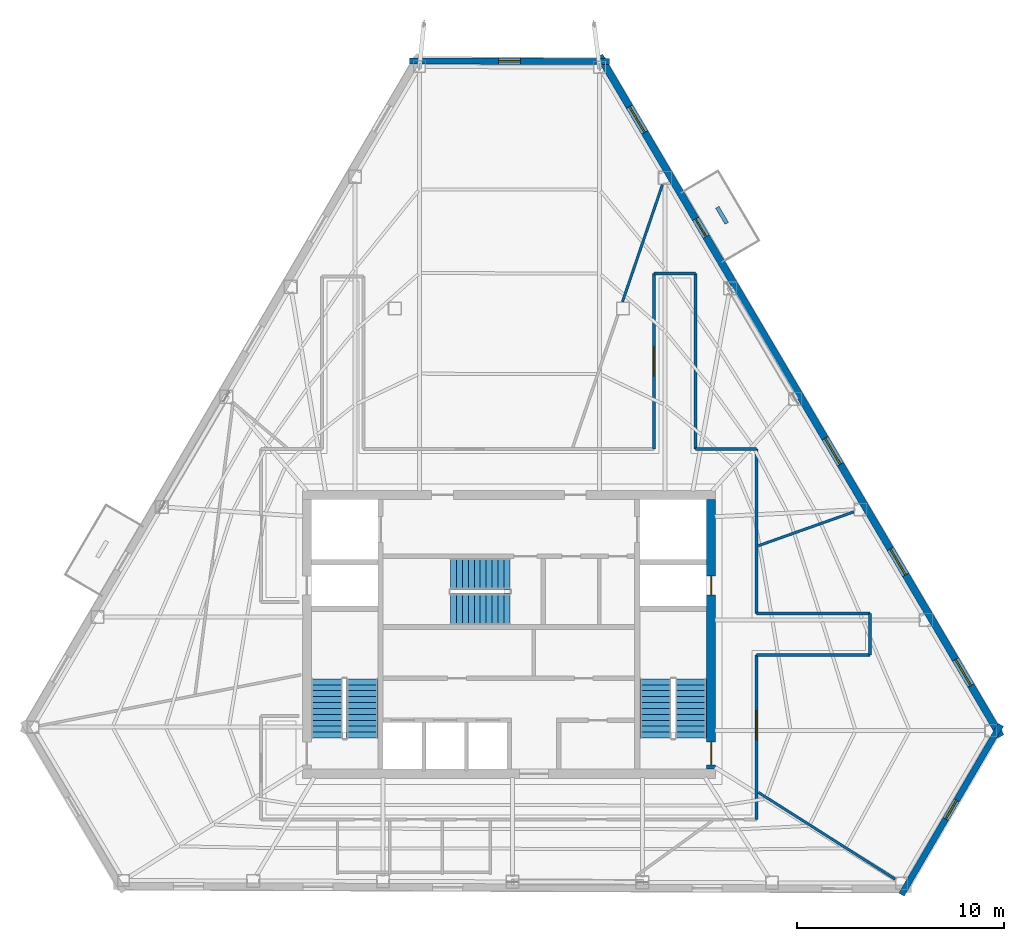
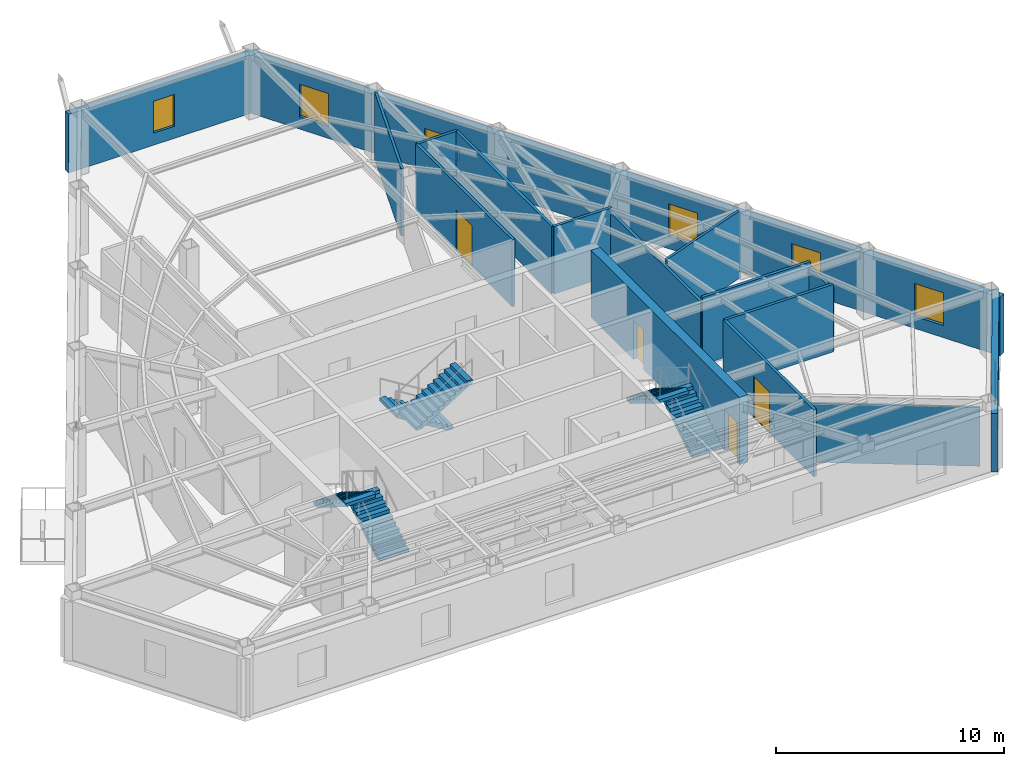
# One storey, part 8 of 10: 17 walls, 6 stair flights, 6 windows, 5 doors, 11 openings, 3 elements without a shape of their own.
"""IFC4 building model written with IfcOpenShell, lengths in metres."""

from ifc_helpers import new_model, si_unit, direction, frame, frame_2d, origin, place, context, subcontext, project, spatial, polyline, rectangle, outline, extrude, material, layer, layer_set, type_object, element, fill, aggregate, save


model = new_model("IFC4")

# Units and contexts
model_context = context("Model", 3, precision=1e-05, world=origin(), true_north=direction((0.0, 1.0)))
body_context = subcontext(model_context, "Body", "Model", "MODEL_VIEW")
ifc_project = project(units=[si_unit("LENGTHUNIT", "METRE"), si_unit("AREAUNIT", "SQUARE_METRE"), si_unit("VOLUMEUNIT", "CUBIC_METRE"), si_unit("PLANEANGLEUNIT", "RADIAN"), si_unit("MASSUNIT", "GRAM", prefix="KILO")], contexts=[model_context])

# Site, building, storey
site_placement = place(None, origin())
site = spatial("IfcSite", under=ifc_project, at=site_placement, CompositionType="ELEMENT")
building_placement = place(site_placement, origin())
building = spatial("IfcBuilding", under=site, at=building_placement, Name="Kavelnor Concourse Tower", CompositionType="ELEMENT")
storey_placement = place(building_placement, frame((0.0, 0.0, 199.64990234375)))
storey = spatial("IfcBuildingStorey", under=building, at=storey_placement, Name="L50", CompositionType="ELEMENT", Elevation=199.64990234375)

# Wall, openings, doors
ifc_material_1 = material(Name="Concrete C50/60", Category="concrete")
ifc_layer_1 = layer(ifc_material_1, 0.43994140625, Name="Concrete C50/60")
ifc_layer_set_1 = layer_set([ifc_layer_1], Name="Concrete C50/60")
wall_type_1 = type_object("IfcWallType", Name="WL-CORE-Z3-440", PredefinedType="SOLIDWALL", material=ifc_layer_set_1)
wall_1_placement = place(storey_placement, frame((47.739990234375, 9.60009765625, 0.0), z_axis=(0.0, 0.0, 1.0), x_axis=(0.0, 1.0, 0.0)))
wall_1 = element("IfcWall", 1, at=wall_1_placement, inside=storey, type_object=wall_type_1, Name="L50 Central Core East Shear Wall", PredefinedType="SOLIDWALL", context=body_context, shape_type="SweptSolid", body=[
    extrude(rectangle(XDim=13.0, YDim=0.43994140625, at=frame_2d((6.5, 0.0))), origin(), (0.0, 0.0, 1.0), 3.60009765625),
])
opening_1_placement = place(wall_1_placement, frame((0.199951171875, 0.0, 0.0)))
opening_1 = element("IfcOpeningElement", 2, at=opening_1_placement, cuts=wall_1, Name="Opening FD-110", PredefinedType="OPENING", context=body_context, shape_type="SweptSolid", body=[
    extrude(rectangle(XDim=1.10009765625, YDim=2.14990234375, at=frame_2d((0.550048828125, 1.074951171875))), frame((0.0, 0.22998046875, 0.0), z_axis=(0.0, -1.0, 0.0), x_axis=(1.0, 0.0, 0.0)), (0.0, 0.0, 1.0), 0.4599609375),
])
opening_2_placement = place(wall_1_placement, frame((8.39990234375, 0.0, 0.0)))
opening_2 = element("IfcOpeningElement", 3, at=opening_2_placement, cuts=wall_1, Name="Opening FD-090", PredefinedType="OPENING", context=body_context, shape_type="SweptSolid", body=[
    extrude(rectangle(XDim=0.89990234375, YDim=2.10009765625, at=frame_2d((0.449951171875, 1.050048828125))), frame((0.0, 0.22998046875, 0.0), z_axis=(0.0, -1.0, 0.0), x_axis=(1.0, 0.0, 0.0)), (0.0, 0.0, 1.0), 0.4599609375),
])
ifc_material_2 = material(Name="Steel Grade 350", Category="steel")
door_type_1 = type_object("IfcDoorType", Name="DR-RISER-FIRE-900", OperationType="NOTDEFINED", PredefinedType="DOOR", material=ifc_material_2)
door_1_placement = place(opening_2_placement, origin())
door_1 = element("IfcDoor", 4, at=door_1_placement, inside=storey, type_object=door_type_1, Name="L50 East Riser Access Door", OperationType="SINGLE_SWING_LEFT", OverallHeight=2.10009765625, OverallWidth=0.89990234375, PredefinedType="DOOR", context=body_context, shape_type="SweptSolid", body=[
    extrude(rectangle(XDim=0.89990234375, YDim=2.10009765625, at=frame_2d((0.449951171875, 1.050048828125))), frame((0.0, 0.02490234375, 0.0), z_axis=(0.0, -1.0, 0.0), x_axis=(1.0, 0.0, 0.0)), (0.0, 0.0, 1.0), 0.050048828125),
])
fill(opening_2, door_1)
door_type_2 = type_object("IfcDoorType", Name="DR-STAIR-FIRE-1100", OperationType="NOTDEFINED", PredefinedType="DOOR", material=ifc_material_2)
door_2_placement = place(opening_1_placement, origin())
door_2 = element("IfcDoor", 5, at=door_2_placement, inside=storey, type_object=door_type_2, Name="L50 Stair ST2 Fire Door", OperationType="SINGLE_SWING_RIGHT", OverallHeight=2.14990234375, OverallWidth=1.10009765625, PredefinedType="DOOR", context=body_context, shape_type="SweptSolid", body=[
    extrude(rectangle(XDim=1.10009765625, YDim=2.14990234375, at=frame_2d((0.550048828125, 1.074951171875))), frame((0.0, 0.02490234375, 0.0), z_axis=(0.0, -1.0, 0.0), x_axis=(1.0, 0.0, 0.0)), (0.0, 0.0, 1.0), 0.050048828125),
])
fill(opening_1, door_2)

# Wall, opening, window
ifc_material_3 = material(Name="Buff ironspot clay face brick masonry", Category="masonry")
ifc_layer_2 = layer(ifc_material_3, 0.300048828125, Name="Buff ironspot clay face brick masonry")
ifc_layer_set_2 = layer_set([ifc_layer_2], Name="Buff ironspot clay face brick masonry")
wall_type_2 = type_object("IfcWallType", Name="WL-EXT-BUFF-BRICK-FOLD-300", PredefinedType="STANDARD", material=ifc_layer_set_2)
wall_2_placement = place(storey_placement, frame((33.213623046875, 43.73388671875, 0.0), z_axis=(0.0, 0.0, 1.0), x_axis=(0.999993608919, -0.00357520916, 0.0)))
wall_2 = element("IfcWall", 6, at=wall_2_placement, inside=storey, type_object=wall_type_2, Name="L50 Exterior Brick Facade Wall E0", PredefinedType="STANDARD", context=body_context, shape_type="SweptSolid", body=[
    extrude(rectangle(XDim=9.62841796875, YDim=0.300048828125, at=frame_2d((4.814208984375, 0.0))), origin(), (0.0, 0.0, 1.0), 3.132080078125),
])
opening_3_placement = place(wall_2_placement, frame((4.289306640625, 0.0, 0.64990234375)))
opening_3 = element("IfcOpeningElement", 7, at=opening_3_placement, cuts=wall_2, Name="Opening W-06", PredefinedType="OPENING", context=body_context, shape_type="SweptSolid", body=[
    extrude(rectangle(XDim=1.050048828125, YDim=1.699951171875, at=frame_2d((0.52490234375, 0.85009765625))), frame((0.0, 0.16015625, 0.0), z_axis=(0.0, -1.0, 0.0), x_axis=(1.0, 0.0, 0.0)), (0.0, 0.0, 1.0), 0.320068359375),
])
ifc_material_4 = material(Name="Double low-E argon insulated glazing", Category="glass")
window_type_1 = type_object("IfcWindowType", Name="WIN-FOLD-1050", PartitioningType="SINGLE_PANEL", PredefinedType="WINDOW", material=ifc_material_4)
window_1_placement = place(opening_3_placement, origin())
window_1 = element("IfcWindow", 8, at=window_1_placement, inside=storey, type_object=window_type_1, Name="L50 Chamfer-Fold Facet Window C0", OverallHeight=1.699951171875, OverallWidth=1.050048828125, PartitioningType="SINGLE_PANEL", PredefinedType="WINDOW", context=body_context, shape_type="SweptSolid", body=[
    extrude(rectangle(XDim=1.050048828125, YDim=1.699951171875, at=frame_2d((0.52490234375, 0.85009765625))), frame((0.0, 0.030029296875, 0.0), z_axis=(0.0, -1.0, 0.0), x_axis=(1.0, 0.0, 0.0)), (0.0, 0.0, 1.0), 0.06005859375),
])
fill(opening_3, window_1)

wall_3_placement = place(storey_placement, frame((61.70654296875, 11.7353515625, 0.0), z_axis=(0.0, 0.0, 1.0), x_axis=(-0.504993005477, -0.863123435216, 0.0)))
wall_3 = element("IfcWall", 9, at=wall_3_placement, inside=storey, type_object=wall_type_2, Name="L50 Exterior Brick Facade Wall E4", PredefinedType="STANDARD", context=body_context, shape_type="SweptSolid", body=[
    extrude(rectangle(XDim=9.48046875, YDim=0.300048828125, at=frame_2d((4.740234375, 0.0))), origin(), (0.0, 0.0, 1.0), 3.132080078125),
])
opening_4_placement = place(wall_3_placement, frame((4.21533203125, 0.0, 0.64990234375)))
opening_4 = element("IfcOpeningElement", 10, at=opening_4_placement, cuts=wall_3, Name="Opening W-06", PredefinedType="OPENING", context=body_context, shape_type="SweptSolid", body=[
    extrude(rectangle(XDim=1.050048828125, YDim=1.699951171875, at=frame_2d((0.52490234375, 0.85009765625))), frame((0.0, 0.16015625, 0.0), z_axis=(0.0, -1.0, 0.0), x_axis=(1.0, 0.0, 0.0)), (0.0, 0.0, 1.0), 0.320068359375),
])
window_2_placement = place(opening_4_placement, origin())
window_2 = element("IfcWindow", 11, at=window_2_placement, inside=storey, type_object=window_type_1, Name="L50 Chamfer-Fold Facet Window C2", OverallHeight=1.699951171875, OverallWidth=1.050048828125, PartitioningType="SINGLE_PANEL", PredefinedType="WINDOW", context=body_context, shape_type="SweptSolid", body=[
    extrude(rectangle(XDim=1.050048828125, YDim=1.699951171875, at=frame_2d((0.52490234375, 0.85009765625))), frame((0.0, 0.030029296875, 0.0), z_axis=(0.0, -1.0, 0.0), x_axis=(1.0, 0.0, 0.0)), (0.0, 0.0, 1.0), 0.06005859375),
])
fill(opening_4, window_2)

# Wall, openings, door, windows
ifc_material_5 = material(Name="Red-ochre clay face brick masonry", Category="masonry")
ifc_layer_3 = layer(ifc_material_5, 0.35009765625, Name="Red-ochre clay face brick masonry")
ifc_layer_set_3 = layer_set([ifc_layer_3], Name="Red-ochre clay face brick masonry")
wall_type_3 = type_object("IfcWallType", Name="WL-EXT-RED-BRICK-PIER-350", PredefinedType="STANDARD", material=ifc_layer_set_3)
wall_4_placement = place(storey_placement, frame((42.3603515625, 43.975830078125, 0.0), z_axis=(0.0, 0.0, 1.0), x_axis=(0.508076618563, -0.861311877121, 0.0)))
wall_4 = element("IfcWall", 12, at=wall_4_placement, inside=storey, type_object=wall_type_3, Name="L50 Exterior Brick Facade Wall E5", PredefinedType="STANDARD", context=body_context, shape_type="SweptSolid", body=[
    extrude(rectangle(XDim=38.079345703125, YDim=0.35009765625, at=frame_2d((19.03955078125, 0.0))), origin(), (0.0, 0.0, 1.0), 3.132080078125),
])
opening_5_placement = place(wall_4_placement, frame((9.119873046875, 0.0, 0.0)))
opening_5 = element("IfcOpeningElement", 13, at=opening_5_placement, cuts=wall_4, Name="Opening BD-100", PredefinedType="OPENING", context=body_context, shape_type="SweptSolid", body=[
    extrude(rectangle(XDim=1.0, YDim=2.199951171875, at=frame_2d((0.5, 1.10009765625))), frame((0.0, 0.18505859375, 0.0), z_axis=(0.0, -1.0, 0.0), x_axis=(1.0, 0.0, 0.0)), (0.0, 0.0, 1.0), 0.3701171875),
])
opening_6_placement = place(wall_4_placement, frame((33.778564453125, 0.0, 0.64990234375)))
opening_6 = element("IfcOpeningElement", 14, at=opening_6_placement, cuts=wall_4, Name="Opening W-03", PredefinedType="OPENING", context=body_context, shape_type="SweptSolid", body=[
    extrude(rectangle(XDim=1.449951171875, YDim=1.75, at=frame_2d((0.72509765625, 0.875))), frame((0.0, 0.18505859375, 0.0), z_axis=(0.0, -1.0, 0.0), x_axis=(1.0, 0.0, 0.0)), (0.0, 0.0, 1.0), 0.3701171875),
])
opening_7_placement = place(wall_4_placement, frame((27.59130859375, 0.0, 0.64990234375)))
opening_7 = element("IfcOpeningElement", 15, at=opening_7_placement, cuts=wall_4, Name="Opening W-03", PredefinedType="OPENING", context=body_context, shape_type="SweptSolid", body=[
    extrude(rectangle(XDim=1.449951171875, YDim=1.75, at=frame_2d((0.72509765625, 0.875))), frame((0.0, 0.18505859375, 0.0), z_axis=(0.0, -1.0, 0.0), x_axis=(1.0, 0.0, 0.0)), (0.0, 0.0, 1.0), 0.3701171875),
])
opening_8_placement = place(wall_4_placement, frame((21.40380859375, 0.0, 0.64990234375)))
opening_8 = element("IfcOpeningElement", 16, at=opening_8_placement, cuts=wall_4, Name="Opening W-03", PredefinedType="OPENING", context=body_context, shape_type="SweptSolid", body=[
    extrude(rectangle(XDim=1.449951171875, YDim=1.75, at=frame_2d((0.72509765625, 0.875))), frame((0.0, 0.18505859375, 0.0), z_axis=(0.0, -1.0, 0.0), x_axis=(1.0, 0.0, 0.0)), (0.0, 0.0, 1.0), 0.3701171875),
])
opening_9_placement = place(wall_4_placement, frame((2.841796875, 0.0, 0.64990234375)))
opening_9 = element("IfcOpeningElement", 17, at=opening_9_placement, cuts=wall_4, Name="Opening W-03", PredefinedType="OPENING", context=body_context, shape_type="SweptSolid", body=[
    extrude(rectangle(XDim=1.449951171875, YDim=1.75, at=frame_2d((0.72509765625, 0.875))), frame((0.0, 0.18505859375, 0.0), z_axis=(0.0, -1.0, 0.0), x_axis=(1.0, 0.0, 0.0)), (0.0, 0.0, 1.0), 0.3701171875),
])
ifc_material_6 = material(Name="Anodised aluminium 6063-T6", Category="aluminium")
door_type_3 = type_object("IfcDoorType", Name="DR-BALCONY-EXT-1000", OperationType="NOTDEFINED", PredefinedType="DOOR", material=ifc_material_6)
door_3_placement = place(opening_5_placement, origin())
door_3 = element("IfcDoor", 18, at=door_3_placement, inside=storey, type_object=door_type_3, Name="L50 Tree Balcony 1 Glazed Door", OperationType="SINGLE_SWING_LEFT", OverallHeight=2.199951171875, OverallWidth=1.0, PredefinedType="DOOR", context=body_context, shape_type="SweptSolid", body=[
    extrude(rectangle(XDim=1.0, YDim=2.199951171875, at=frame_2d((0.5, 1.10009765625))), frame((0.0, 0.02490234375, 0.0), z_axis=(0.0, -1.0, 0.0), x_axis=(1.0, 0.0, 0.0)), (0.0, 0.0, 1.0), 0.050048828125),
])
fill(opening_5, door_3)
window_type_2 = type_object("IfcWindowType", Name="WIN-PIER-Z3-1500", PartitioningType="SINGLE_PANEL", PredefinedType="WINDOW", material=ifc_material_4)
window_3_placement = place(opening_6_placement, origin())
window_3 = element("IfcWindow", 19, at=window_3_placement, inside=storey, type_object=window_type_2, Name="L50 Deep-Set Brick Pier Window F2-B0", OverallHeight=1.75, OverallWidth=1.449951171875, PartitioningType="SINGLE_PANEL", PredefinedType="WINDOW", context=body_context, shape_type="SweptSolid", body=[
    extrude(rectangle(XDim=1.449951171875, YDim=1.75, at=frame_2d((0.72509765625, 0.875))), frame((0.0, 0.030029296875, 0.0), z_axis=(0.0, -1.0, 0.0), x_axis=(1.0, 0.0, 0.0)), (0.0, 0.0, 1.0), 0.06005859375),
])
fill(opening_6, window_3)
window_4_placement = place(opening_7_placement, origin())
window_4 = element("IfcWindow", 20, at=window_4_placement, inside=storey, type_object=window_type_2, Name="L50 Deep-Set Brick Pier Window F2-B1", OverallHeight=1.75, OverallWidth=1.449951171875, PartitioningType="SINGLE_PANEL", PredefinedType="WINDOW", context=body_context, shape_type="SweptSolid", body=[
    extrude(rectangle(XDim=1.449951171875, YDim=1.75, at=frame_2d((0.72509765625, 0.875))), frame((0.0, 0.030029296875, 0.0), z_axis=(0.0, -1.0, 0.0), x_axis=(1.0, 0.0, 0.0)), (0.0, 0.0, 1.0), 0.06005859375),
])
fill(opening_7, window_4)
window_5_placement = place(opening_8_placement, origin())
window_5 = element("IfcWindow", 21, at=window_5_placement, inside=storey, type_object=window_type_2, Name="L50 Deep-Set Brick Pier Window F2-B2", OverallHeight=1.75, OverallWidth=1.449951171875, PartitioningType="SINGLE_PANEL", PredefinedType="WINDOW", context=body_context, shape_type="SweptSolid", body=[
    extrude(rectangle(XDim=1.449951171875, YDim=1.75, at=frame_2d((0.72509765625, 0.875))), frame((0.0, 0.030029296875, 0.0), z_axis=(0.0, -1.0, 0.0), x_axis=(1.0, 0.0, 0.0)), (0.0, 0.0, 1.0), 0.06005859375),
])
fill(opening_8, window_5)
window_6_placement = place(opening_9_placement, origin())
window_6 = element("IfcWindow", 22, at=window_6_placement, inside=storey, type_object=window_type_2, Name="L50 Deep-Set Brick Pier Window F2-B5", OverallHeight=1.75, OverallWidth=1.449951171875, PartitioningType="SINGLE_PANEL", PredefinedType="WINDOW", context=body_context, shape_type="SweptSolid", body=[
    extrude(rectangle(XDim=1.449951171875, YDim=1.75, at=frame_2d((0.72509765625, 0.875))), frame((0.0, 0.030029296875, 0.0), z_axis=(0.0, -1.0, 0.0), x_axis=(1.0, 0.0, 0.0)), (0.0, 0.0, 1.0), 0.06005859375),
])
fill(opening_9, window_6)

# Wall, opening, door
ifc_material_7 = material(Name="Gypsum plasterboard on light-gauge steel studs", Category="steel")
ifc_layer_4 = layer(ifc_material_7, 0.14501953125, Name="Gypsum plasterboard on light-gauge steel studs")
ifc_layer_set_4 = layer_set([ifc_layer_4], Name="Gypsum plasterboard on light-gauge steel studs")
wall_type_4 = type_object("IfcWallType", Name="WL-INT-CORR-145", PredefinedType="PARTITIONING", material=ifc_layer_set_4)
wall_5_placement = place(storey_placement, frame((45.0, 25.02001953125, 0.0), z_axis=(0.0, 0.0, 1.0), x_axis=(0.0, 1.0, 0.0)))
wall_5 = element("IfcWall", 23, at=wall_5_placement, inside=storey, type_object=wall_type_4, Name="L50 Corridor Wall WL-L50-CR-08", PredefinedType="PARTITIONING", context=body_context, shape_type="SweptSolid", body=[
    extrude(rectangle(XDim=8.458251953125, YDim=0.14501953125, at=frame_2d((4.22900390625, 0.0))), origin(), (0.0, 0.0, 1.0), 3.60009765625),
])
opening_10_placement = place(wall_5_placement, frame((3.529052734375, 0.0, 0.0)))
opening_10 = element("IfcOpeningElement", 24, at=opening_10_placement, cuts=wall_5, Name="Opening SD-140", PredefinedType="OPENING", context=body_context, shape_type="SweptSolid", body=[
    extrude(rectangle(XDim=1.39990234375, YDim=2.199951171875, at=frame_2d((0.699951171875, 1.10009765625))), frame((0.0, 0.08251953125, 0.0), z_axis=(0.0, -1.0, 0.0), x_axis=(1.0, 0.0, 0.0)), (0.0, 0.0, 1.0), 0.1650390625),
])
ifc_material_8 = material(Name="Solid-core hardwood timber", Category="wood")
door_type_4 = type_object("IfcDoorType", Name="DR-SUITE-ENTRY-1400", OperationType="NOTDEFINED", PredefinedType="DOOR", material=ifc_material_8)
door_4_placement = place(opening_10_placement, origin())
door_4 = element("IfcDoor", 25, at=door_4_placement, inside=storey, type_object=door_type_4, Name="L50 Tenant Bookstore Retail Shop 01 Door", OperationType="SINGLE_SWING_RIGHT", OverallHeight=2.199951171875, OverallWidth=1.39990234375, PredefinedType="DOOR", context=body_context, shape_type="SweptSolid", body=[
    extrude(rectangle(XDim=1.39990234375, YDim=2.199951171875, at=frame_2d((0.699951171875, 1.10009765625))), frame((0.0, 0.02490234375, 0.0), z_axis=(0.0, -1.0, 0.0), x_axis=(1.0, 0.0, 0.0)), (0.0, 0.0, 1.0), 0.050048828125),
])
fill(opening_10, door_4)

# Walls
wall_6_placement = place(storey_placement, frame((45.0, 33.478271484375, 0.0), z_axis=(0.0, 0.0, 1.0), x_axis=(1.0, 0.0, 0.0)))
element("IfcWall", 26, at=wall_6_placement, inside=storey, type_object=wall_type_4, Name="L50 Corridor Wall WL-L50-CR-09", PredefinedType="PARTITIONING", context=body_context, shape_type="SweptSolid", body=[
    extrude(rectangle(XDim=2.0, YDim=0.14501953125, at=frame_2d((1.0, 0.0))), origin(), (0.0, 0.0, 1.0), 3.60009765625),
])
wall_7_placement = place(storey_placement, frame((47.0, 33.478271484375, 0.0), z_axis=(0.0, 0.0, 1.0), x_axis=(0.0, -1.0, 0.0)))
element("IfcWall", 27, at=wall_7_placement, inside=storey, type_object=wall_type_4, Name="L50 Corridor Wall WL-L50-CR-10", PredefinedType="PARTITIONING", context=body_context, shape_type="SweptSolid", body=[
    extrude(rectangle(XDim=8.458251953125, YDim=0.14501953125, at=frame_2d((4.22900390625, 0.0))), origin(), (0.0, 0.0, 1.0), 3.60009765625),
])
wall_8_placement = place(storey_placement, frame((47.0, 25.02001953125, 0.0), z_axis=(0.0, 0.0, 1.0), x_axis=(1.0, 0.0, 0.0)))
element("IfcWall", 28, at=wall_8_placement, inside=storey, type_object=wall_type_4, Name="L50 Corridor Wall WL-L50-CR-11", PredefinedType="PARTITIONING", context=body_context, shape_type="SweptSolid", body=[
    extrude(rectangle(XDim=2.93994140625, YDim=0.14501953125, at=frame_2d((1.469970703125, 0.0))), origin(), (0.0, 0.0, 1.0), 3.60009765625),
])
wall_9_placement = place(storey_placement, frame((49.93994140625, 25.02001953125, 0.0), z_axis=(0.0, 0.0, 1.0), x_axis=(0.0, -1.0, 0.0)))
element("IfcWall", 29, at=wall_9_placement, inside=storey, type_object=wall_type_4, Name="L50 Corridor Wall WL-L50-CR-12", PredefinedType="PARTITIONING", context=body_context, shape_type="SweptSolid", body=[
    extrude(rectangle(XDim=7.919921875, YDim=0.14501953125, at=frame_2d((3.9599609375, 0.0))), origin(), (0.0, 0.0, 1.0), 3.339111328125),
])
wall_10_placement = place(storey_placement, frame((49.93994140625, 17.10009765625, 0.0), z_axis=(0.0, 0.0, 1.0), x_axis=(1.0, 0.0, 0.0)))
element("IfcWall", 30, at=wall_10_placement, inside=storey, type_object=wall_type_4, Name="L50 Corridor Wall WL-L50-CR-13", PredefinedType="PARTITIONING", context=body_context, shape_type="SweptSolid", body=[
    extrude(rectangle(XDim=5.4599609375, YDim=0.14501953125, at=frame_2d((2.72998046875, 0.0))), origin(), (0.0, 0.0, 1.0), 3.60009765625),
])
wall_11_placement = place(storey_placement, frame((55.39990234375, 17.10009765625, 0.0), z_axis=(0.0, 0.0, 1.0), x_axis=(0.0, -1.0, 0.0)))
element("IfcWall", 31, at=wall_11_placement, inside=storey, type_object=wall_type_4, Name="L50 Corridor Wall WL-L50-CR-14", PredefinedType="PARTITIONING", context=body_context, shape_type="SweptSolid", body=[
    extrude(rectangle(XDim=2.0, YDim=0.14501953125, at=frame_2d((1.0, 0.0))), origin(), (0.0, 0.0, 1.0), 3.339111328125),
])
wall_12_placement = place(storey_placement, frame((55.39990234375, 15.10009765625, 0.0), z_axis=(0.0, 0.0, 1.0), x_axis=(-1.0, 0.0, 0.0)))
element("IfcWall", 32, at=wall_12_placement, inside=storey, type_object=wall_type_4, Name="L50 Corridor Wall WL-L50-CR-15", PredefinedType="PARTITIONING", context=body_context, shape_type="SweptSolid", body=[
    extrude(rectangle(XDim=5.4599609375, YDim=0.14501953125, at=frame_2d((2.72998046875, 0.0))), origin(), (0.0, 0.0, 1.0), 3.60009765625),
])

# Wall, opening, door
wall_13_placement = place(storey_placement, frame((49.93994140625, 15.10009765625, 0.0), z_axis=(0.0, 0.0, 1.0), x_axis=(0.0, -1.0, 0.0)))
wall_13 = element("IfcWall", 33, at=wall_13_placement, inside=storey, type_object=wall_type_4, Name="L50 Corridor Wall WL-L50-CR-16", PredefinedType="PARTITIONING", context=body_context, shape_type="SweptSolid", body=[
    extrude(rectangle(XDim=7.920166015625, YDim=0.14501953125, at=frame_2d((3.9599609375, 0.0))), origin(), (0.0, 0.0, 1.0), 3.60009765625),
])
opening_11_placement = place(wall_13_placement, frame((2.674072265625, 0.0, 0.0)))
opening_11 = element("IfcOpeningElement", 34, at=opening_11_placement, cuts=wall_13, Name="Opening SD-140", PredefinedType="OPENING", context=body_context, shape_type="SweptSolid", body=[
    extrude(rectangle(XDim=1.39990234375, YDim=2.199951171875, at=frame_2d((0.699951171875, 1.10009765625))), frame((0.0, 0.08251953125, 0.0), z_axis=(0.0, -1.0, 0.0), x_axis=(1.0, 0.0, 0.0)), (0.0, 0.0, 1.0), 0.1650390625),
])
door_5_placement = place(opening_11_placement, origin())
door_5 = element("IfcDoor", 35, at=door_5_placement, inside=storey, type_object=door_type_4, Name="L50 Executive Dining Room 08 Door", OperationType="SINGLE_SWING_LEFT", OverallHeight=2.199951171875, OverallWidth=1.39990234375, PredefinedType="DOOR", context=body_context, shape_type="SweptSolid", body=[
    extrude(rectangle(XDim=1.39990234375, YDim=2.199951171875, at=frame_2d((0.699951171875, 1.10009765625))), frame((0.0, 0.02490234375, 0.0), z_axis=(0.0, -1.0, 0.0), x_axis=(1.0, 0.0, 0.0)), (0.0, 0.0, 1.0), 0.050048828125),
])
fill(opening_11, door_5)

# Walls
ifc_layer_5 = layer(ifc_material_7, 0.125, Name="Gypsum plasterboard on light-gauge steel studs")
ifc_layer_set_5 = layer_set([ifc_layer_5], Name="Gypsum plasterboard on light-gauge steel studs")
wall_type_5 = type_object("IfcWallType", Name="WL-INT-SUITE-125", PredefinedType="PARTITIONING", material=ifc_layer_set_5)
wall_14_placement = place(storey_placement, frame((50.0205078125, 20.366943359375, 0.0), z_axis=(0.0, 0.0, 1.0), x_axis=(0.942385990237, 0.334527495737, 0.0)))
element("IfcWall", 36, at=wall_14_placement, inside=storey, type_object=wall_type_5, Name="L50 Radial Suite Partition 01", PredefinedType="PARTITIONING", context=body_context, shape_type="SweptSolid", body=[
    extrude(rectangle(XDim=4.875, YDim=0.125, at=frame_2d((2.4375, 0.0))), origin(), (0.0, 0.0, 1.0), 3.60009765625),
])
wall_15_placement = place(storey_placement, frame((43.47216796875, 32.1279296875, 0.0), z_axis=(0.0, 0.0, 1.0), x_axis=(0.323118824799, 0.946358402013, 0.0)))
element("IfcWall", 37, at=wall_15_placement, inside=storey, type_object=wall_type_5, Name="L50 Radial Suite Partition 02", PredefinedType="PARTITIONING", context=body_context, shape_type="SweptSolid", body=[
    extrude(rectangle(XDim=5.966064453125, YDim=0.125, at=frame_2d((2.98291015625, 0.0))), origin(), (0.0, 0.0, 1.0), 3.60009765625),
])
wall_16_placement = place(storey_placement, frame((50.0205078125, 8.478759765625, 0.0), z_axis=(0.0, 0.0, 1.0), x_axis=(0.844548219487, -0.535479509377, 0.0)))
element("IfcWall", 38, at=wall_16_placement, inside=storey, type_object=wall_type_5, Name="L50 Radial Suite Partition 05", PredefinedType="PARTITIONING", context=body_context, shape_type="SweptSolid", body=[
    extrude(rectangle(XDim=7.812255859375, YDim=0.125, at=frame_2d((3.90625, 0.0))), origin(), (0.0, 0.0, 1.0), 3.14111328125),
])
ifc_material_9 = material(Name="Architectural precast planter concrete C40/50", Category="concrete")
ifc_layer_6 = layer(ifc_material_9, 0.18994140625, Name="Architectural precast planter concrete C40/50")
ifc_layer_set_6 = layer_set([ifc_layer_6], Name="Architectural precast planter concrete C40/50")
wall_type_6 = type_object("IfcWallType", Name="WL-PLANTER-KERB-190", PredefinedType="USERDEFINED", material=ifc_layer_set_6)
wall_17_placement = place(storey_placement, frame((48.497314453125, 35.904541015625, 0.0), z_axis=(0.0, 0.0, 1.0), x_axis=(-0.508098554151, 0.861298937228, 0.0)))
element("IfcWall", 39, at=wall_17_placement, inside=storey, type_object=wall_type_6, Name="L50 Tree Balcony 1 Tree Planter Kerb", ObjectType="PLANTER", PredefinedType="USERDEFINED", context=body_context, shape_type="SweptSolid", body=[
    extrude(rectangle(XDim=0.89990234375, YDim=0.18994140625, at=frame_2d((0.449951171875, 0.0))), origin(), (0.0, 0.0, 1.0), 0.5),
])

# Stair, stair flights
ifc_material_10 = material(Name="Concrete C40/50", Category="concrete")
stair_type = type_object("IfcStairType", Name="STR-CORE-1500", PredefinedType="HALF_TURN_STAIR", material=ifc_material_10)
stair_1_placement = place(storey_placement, origin())
stair_1 = element("IfcStair", 40, at=stair_1_placement, inside=storey, type_object=stair_type, Name="L50 ST1", PredefinedType="HALF_TURN_STAIR")
stair_flight_type = type_object("IfcStairFlightType", Name="STR-FLIGHT-1500", PredefinedType="STRAIGHT", material=ifc_material_10)
stair_flight_1_placement = place(storey_placement, frame((30.929931640625, 11.10009765625, 0.0), z_axis=(0.0, 0.0, 1.0), x_axis=(0.0, 1.0, 0.0)))
stair_flight_1 = element("IfcStairFlight", 41, at=stair_flight_1_placement, type_object=stair_flight_type, Name="ST1 flight 1", NumberOfRisers=11, NumberOfTreads=10, PredefinedType="STRAIGHT", RiserHeight=0.175, TreadLength=0.285, context=body_context, shape_type="SweptSolid", body=[
    extrude(outline(polyline([(0.0, 0.0), (0.0, 0.175048828125), (0.284912109375, 0.175048828125), (0.284912109375, 0.35009765625), (0.570068359375, 0.35009765625), (0.570068359375, 0.52490234375), (0.85498046875, 0.52490234375), (0.85498046875, 0.699951171875), (1.139892578125, 0.699951171875), (1.139892578125, 0.875), (1.425048828125, 0.875), (1.425048828125, 1.050048828125), (1.7099609375, 1.050048828125), (1.7099609375, 1.22509765625), (1.9951171875, 1.22509765625), (1.9951171875, 1.39990234375), (2.280029296875, 1.39990234375), (2.280029296875, 1.574951171875), (2.56494140625, 1.574951171875), (2.56494140625, 1.75), (2.85009765625, 1.75), (2.85009765625, 1.925048828125), (2.85009765625, 1.573974609375), (0.286376953125, 0.0), (0.0, 0.0)])), frame((0.0, 0.75, 0.0), z_axis=(0.0, -1.0, 0.0), x_axis=(1.0, 0.0, 0.0)), (0.0, 0.0, 1.0), 1.5),
])
stair_flight_2_placement = place(storey_placement, frame((29.22998046875, 13.949951171875, 1.925048828125), z_axis=(0.0, 0.0, 1.0), x_axis=(0.0, -1.0, 0.0)))
stair_flight_2 = element("IfcStairFlight", 42, at=stair_flight_2_placement, type_object=stair_flight_type, Name="ST1 flight 2", NumberOfRisers=11, NumberOfTreads=10, PredefinedType="STRAIGHT", RiserHeight=0.175, TreadLength=0.285, context=body_context, shape_type="SweptSolid", body=[
    extrude(outline(polyline([(0.0, 0.0), (0.0, 0.175048828125), (0.284912109375, 0.175048828125), (0.284912109375, 0.35009765625), (0.570068359375, 0.35009765625), (0.570068359375, 0.52490234375), (0.85498046875, 0.52490234375), (0.85498046875, 0.699951171875), (1.139892578125, 0.699951171875), (1.139892578125, 0.875), (1.425048828125, 0.875), (1.425048828125, 1.050048828125), (1.7099609375, 1.050048828125), (1.7099609375, 1.22509765625), (1.9951171875, 1.22509765625), (1.9951171875, 1.39990234375), (2.280029296875, 1.39990234375), (2.280029296875, 1.574951171875), (2.56494140625, 1.574951171875), (2.56494140625, 1.75), (2.85009765625, 1.75), (2.85009765625, 1.925048828125), (2.85009765625, 1.573974609375), (0.286376953125, 0.0), (0.0, 0.0)])), frame((0.0, 0.75, 0.0), z_axis=(0.0, -1.0, 0.0), x_axis=(1.0, 0.0, 0.0)), (0.0, 0.0, 1.0), 1.5),
])
aggregate(stair_1, [stair_flight_1, stair_flight_2])

stair_2_placement = place(storey_placement, origin())
stair_2 = element("IfcStair", 43, at=stair_2_placement, inside=storey, type_object=stair_type, Name="L50 ST2", PredefinedType="HALF_TURN_STAIR")
stair_flight_3_placement = place(storey_placement, frame((46.77001953125, 11.10009765625, 0.0), z_axis=(0.0, 0.0, 1.0), x_axis=(0.0, 1.0, 0.0)))
stair_flight_3 = element("IfcStairFlight", 44, at=stair_flight_3_placement, type_object=stair_flight_type, Name="ST2 flight 1", NumberOfRisers=11, NumberOfTreads=10, PredefinedType="STRAIGHT", RiserHeight=0.175, TreadLength=0.285, context=body_context, shape_type="SweptSolid", body=[
    extrude(outline(polyline([(0.0, 0.0), (0.0, 0.175048828125), (0.284912109375, 0.175048828125), (0.284912109375, 0.35009765625), (0.570068359375, 0.35009765625), (0.570068359375, 0.52490234375), (0.85498046875, 0.52490234375), (0.85498046875, 0.699951171875), (1.139892578125, 0.699951171875), (1.139892578125, 0.875), (1.425048828125, 0.875), (1.425048828125, 1.050048828125), (1.7099609375, 1.050048828125), (1.7099609375, 1.22509765625), (1.9951171875, 1.22509765625), (1.9951171875, 1.39990234375), (2.280029296875, 1.39990234375), (2.280029296875, 1.574951171875), (2.56494140625, 1.574951171875), (2.56494140625, 1.75), (2.85009765625, 1.75), (2.85009765625, 1.925048828125), (2.85009765625, 1.573974609375), (0.286376953125, 0.0), (0.0, 0.0)])), frame((0.0, 0.75, 0.0), z_axis=(0.0, -1.0, 0.0), x_axis=(1.0, 0.0, 0.0)), (0.0, 0.0, 1.0), 1.5),
])
stair_flight_4_placement = place(storey_placement, frame((45.070068359375, 13.949951171875, 1.925048828125), z_axis=(0.0, 0.0, 1.0), x_axis=(0.0, -1.0, 0.0)))
stair_flight_4 = element("IfcStairFlight", 45, at=stair_flight_4_placement, type_object=stair_flight_type, Name="ST2 flight 2", NumberOfRisers=11, NumberOfTreads=10, PredefinedType="STRAIGHT", RiserHeight=0.175, TreadLength=0.285, context=body_context, shape_type="SweptSolid", body=[
    extrude(outline(polyline([(0.0, 0.0), (0.0, 0.175048828125), (0.284912109375, 0.175048828125), (0.284912109375, 0.35009765625), (0.570068359375, 0.35009765625), (0.570068359375, 0.52490234375), (0.85498046875, 0.52490234375), (0.85498046875, 0.699951171875), (1.139892578125, 0.699951171875), (1.139892578125, 0.875), (1.425048828125, 0.875), (1.425048828125, 1.050048828125), (1.7099609375, 1.050048828125), (1.7099609375, 1.22509765625), (1.9951171875, 1.22509765625), (1.9951171875, 1.39990234375), (2.280029296875, 1.39990234375), (2.280029296875, 1.574951171875), (2.56494140625, 1.574951171875), (2.56494140625, 1.75), (2.85009765625, 1.75), (2.85009765625, 1.925048828125), (2.85009765625, 1.573974609375), (0.286376953125, 0.0), (0.0, 0.0)])), frame((0.0, 0.75, 0.0), z_axis=(0.0, -1.0, 0.0), x_axis=(1.0, 0.0, 0.0)), (0.0, 0.0, 1.0), 1.5),
])
aggregate(stair_2, [stair_flight_3, stair_flight_4])

stair_3_placement = place(storey_placement, origin())
stair_3 = element("IfcStair", 46, at=stair_3_placement, inside=storey, type_object=stair_type, Name="L50 ST3", PredefinedType="HALF_TURN_STAIR")
stair_flight_5_placement = place(storey_placement, frame((38.0400390625, 19.010009765625, 0.0), z_axis=(0.0, 0.0, 1.0), x_axis=(-1.0, 0.0, 0.0)))
stair_flight_5 = element("IfcStairFlight", 47, at=stair_flight_5_placement, type_object=stair_flight_type, Name="ST3 flight 1", NumberOfRisers=11, NumberOfTreads=10, PredefinedType="STRAIGHT", RiserHeight=0.175, TreadLength=0.285, context=body_context, shape_type="SweptSolid", body=[
    extrude(outline(polyline([(0.0, 0.0), (0.0, 0.175048828125), (0.284912109375, 0.175048828125), (0.284912109375, 0.35009765625), (0.570068359375, 0.35009765625), (0.570068359375, 0.52490234375), (0.85498046875, 0.52490234375), (0.85498046875, 0.699951171875), (1.139892578125, 0.699951171875), (1.139892578125, 0.875), (1.425048828125, 0.875), (1.425048828125, 1.050048828125), (1.7099609375, 1.050048828125), (1.7099609375, 1.22509765625), (1.9951171875, 1.22509765625), (1.9951171875, 1.39990234375), (2.280029296875, 1.39990234375), (2.280029296875, 1.574951171875), (2.56494140625, 1.574951171875), (2.56494140625, 1.75), (2.85009765625, 1.75), (2.85009765625, 1.925048828125), (2.85009765625, 1.573974609375), (0.286376953125, 0.0), (0.0, 0.0)])), frame((0.0, 0.75, 0.0), z_axis=(0.0, -1.0, 0.0), x_axis=(1.0, 0.0, 0.0)), (0.0, 0.0, 1.0), 1.5),
])
stair_flight_6_placement = place(storey_placement, frame((35.18994140625, 17.31005859375, 1.925048828125), z_axis=(0.0, 0.0, 1.0), x_axis=(1.0, 0.0, 0.0)))
stair_flight_6 = element("IfcStairFlight", 48, at=stair_flight_6_placement, type_object=stair_flight_type, Name="ST3 flight 2", NumberOfRisers=11, NumberOfTreads=10, PredefinedType="STRAIGHT", RiserHeight=0.175, TreadLength=0.285, context=body_context, shape_type="SweptSolid", body=[
    extrude(outline(polyline([(0.0, 0.0), (0.0, 0.175048828125), (0.284912109375, 0.175048828125), (0.284912109375, 0.35009765625), (0.570068359375, 0.35009765625), (0.570068359375, 0.52490234375), (0.85498046875, 0.52490234375), (0.85498046875, 0.699951171875), (1.139892578125, 0.699951171875), (1.139892578125, 0.875), (1.425048828125, 0.875), (1.425048828125, 1.050048828125), (1.7099609375, 1.050048828125), (1.7099609375, 1.22509765625), (1.9951171875, 1.22509765625), (1.9951171875, 1.39990234375), (2.280029296875, 1.39990234375), (2.280029296875, 1.574951171875), (2.56494140625, 1.574951171875), (2.56494140625, 1.75), (2.85009765625, 1.75), (2.85009765625, 1.925048828125), (2.85009765625, 1.573974609375), (0.286376953125, 0.0), (0.0, 0.0)])), frame((0.0, 0.75, 0.0), z_axis=(0.0, -1.0, 0.0), x_axis=(1.0, 0.0, 0.0)), (0.0, 0.0, 1.0), 1.5),
])
aggregate(stair_3, [stair_flight_5, stair_flight_6])

save(model, "model.ifc")
